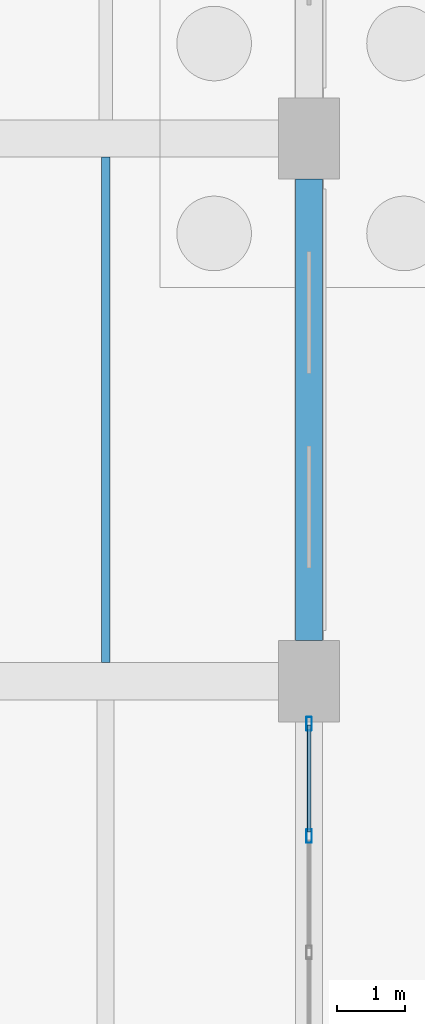
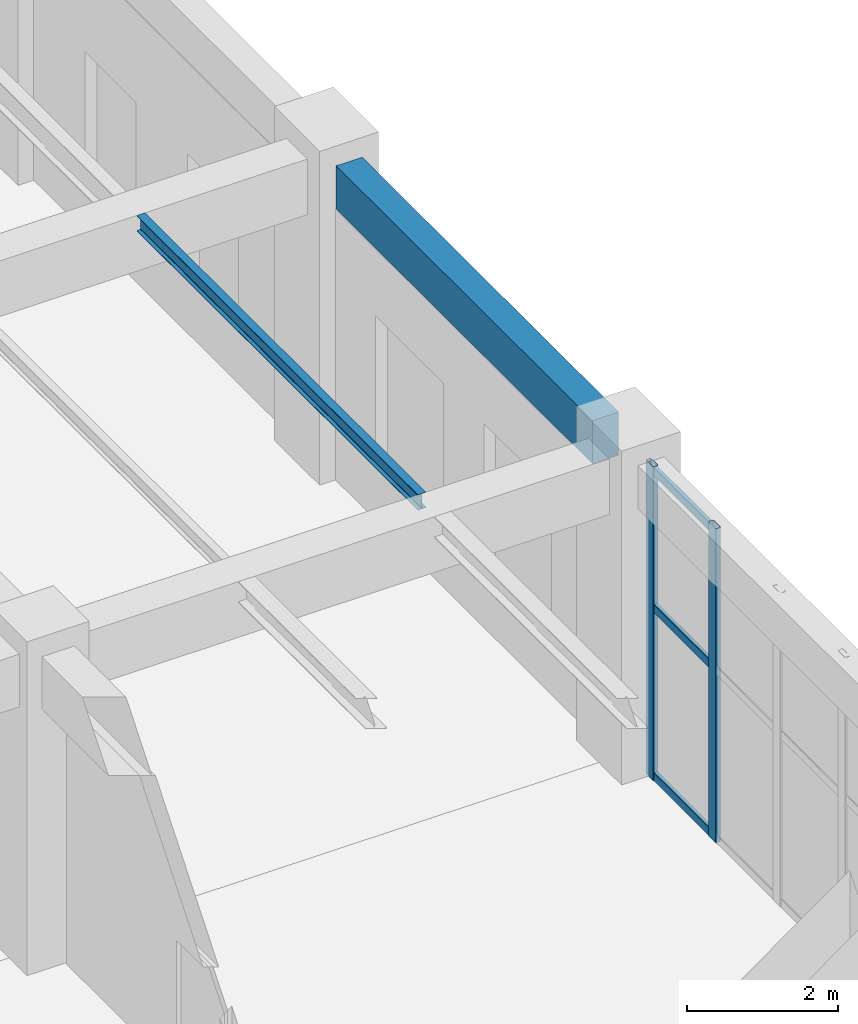
# One storey, part 76 of 121: 5 members, 2 beams, 1 element without a shape of its own.
"""IFC4 building model written with IfcOpenShell, lengths in metres."""

import ifcopenshell
import ifcopenshell.guid

model = None  # the IFC model being written
_history = None  # IfcOwnerHistory: only IFC2X3 demands one
_inside = {}  # id of a spatial element -> (the spatial element, [elements in it])
_under = {}  # id of a project, library or spatial element -> (it, [spatial elements below it])
_declared = {}  # id of a project -> (the project, [libraries it declares])
_typed = {}  # id of a type object -> (the type object, [elements of that type])
_made_of = {}  # id of a material, layer set ... -> (it, [elements and type objects made of it])


def new_model(schema):
    """Start an empty IFC model of exactly this schema.

    Asked for "IFC4X3", IfcOpenShell would pick the latest addendum, in which some entities
    have other attributes; the version numbers below select the first issue.
    IFC2X3 requires an IfcOwnerHistory on every rooted entity: one is made here for all.
    """
    global model, _history
    if schema == "IFC4X3":
        model = ifcopenshell.file(schema_version=(4, 3, 0, 0))
    else:
        model = ifcopenshell.file(schema=schema)
    _inside.clear()
    _under.clear()
    _declared.clear()
    _typed.clear()
    _made_of.clear()
    _history = None
    if model.schema == "IFC2X3":
        org = make("IfcOrganization", Name="unknown")
        user = make(
            "IfcPersonAndOrganization",
            ThePerson=make("IfcPerson", FamilyName="unknown"),
            TheOrganization=org,
        )
        app = make(
            "IfcApplication",
            ApplicationDeveloper=org,
            Version="unknown",
            ApplicationFullName="unknown",
            ApplicationIdentifier="unknown",
        )
        _history = make(
            "IfcOwnerHistory",
            OwningUser=user,
            OwningApplication=app,
            ChangeAction="ADDED",
            CreationDate=0,
        )
    return model


def make(cls, **values):
    """One entity of the class cls with the attributes given. An attribute that is None is left unset."""
    return model.create_entity(
        cls, **{name: value for name, value in values.items() if value is not None}
    )


def rooted(cls, **values):
    """An entity with a GlobalId (a new one), such as an element, a storey or a relation."""
    return make(cls, GlobalId=ifcopenshell.guid.new(), OwnerHistory=_history, **values)


def si_unit(unit_type, name, prefix=None):
    """IfcSIUnit, for example si_unit("LENGTHUNIT", "METRE", prefix="MILLI")."""
    return make("IfcSIUnit", UnitType=unit_type, Prefix=prefix, Name=name)


def derived_unit(unit_type, elements):
    """IfcDerivedUnit: a product of units, each with its exponent."""
    return make(
        "IfcDerivedUnit",
        Elements=[
            make("IfcDerivedUnitElement", Unit=unit, Exponent=power)
            for unit, power in elements
        ],
        UnitType=unit_type,
    )


def assignment(units):
    """IfcUnitAssignment: the units of a project."""
    return None if units is None else make("IfcUnitAssignment", Units=units)


def point(xyz):
    """IfcCartesianPoint."""
    return None if xyz is None else make("IfcCartesianPoint", Coordinates=xyz)


def direction(xyz):
    """IfcDirection."""
    return None if xyz is None else make("IfcDirection", DirectionRatios=xyz)


def frame(location, z_axis=None, x_axis=None):
    """IfcAxis2Placement3D, a coordinate frame: its origin and axes. An axis left out is left unset."""
    return make(
        "IfcAxis2Placement3D",
        Location=point(location),
        Axis=direction(z_axis),
        RefDirection=direction(x_axis),
    )


def frame_2d(location, x_axis=None):
    """IfcAxis2Placement2D, a coordinate frame in the plane: its origin and x axis."""
    return make(
        "IfcAxis2Placement2D", Location=point(location), RefDirection=direction(x_axis)
    )


def origin():
    """The frame at (0, 0, 0) with its axes left unset."""
    return frame((0.0, 0.0, 0.0))


def origin_2d():
    """The frame at (0, 0) in the plane with its x axis left unset."""
    return frame_2d((0.0, 0.0))


def place(relative_to, where):
    """IfcLocalPlacement: puts the frame where relative to a parent placement (None: the world)."""
    return make(
        "IfcLocalPlacement", PlacementRelTo=relative_to, RelativePlacement=where
    )


def context(
    kind, dimensions, precision=None, world=None, true_north=None, identifier=None
):
    """IfcGeometricRepresentationContext, for example the 3D "Model" context."""
    return make(
        "IfcGeometricRepresentationContext",
        ContextIdentifier=identifier,
        ContextType=kind,
        CoordinateSpaceDimension=dimensions,
        Precision=precision,
        WorldCoordinateSystem=world,
        TrueNorth=true_north,
    )


def subcontext(parent, identifier, kind, view, scale=None):
    """IfcGeometricRepresentationSubContext, for example "Body" below "Model"."""
    return make(
        "IfcGeometricRepresentationSubContext",
        ContextIdentifier=identifier,
        ContextType=kind,
        ParentContext=parent,
        TargetScale=scale,
        TargetView=view,
    )


def project(units=None, contexts=None):
    """IfcProject with its units and contexts."""
    return rooted(
        "IfcProject",
        Name="project",
        RepresentationContexts=contexts,
        UnitsInContext=assignment(units),
    )


def spatial(cls, under=None, at=None, **own):
    """A site, building, storey or space (cls), placed at a placement, below another one or the project."""
    s = rooted(cls, ObjectPlacement=at, **own)
    if under is not None:
        _under.setdefault(under.id(), (under, []))[1].append(s)
    return s


def profile(cls, at=None, kind="AREA", **sizes):
    """A parametric profile (cls). Its sizes go by their IFC names, for example OverallWidth=200.0."""
    return make(cls, ProfileType=kind, Position=at, **sizes)


def rectangle(**sizes):
    """IfcRectangleProfileDef."""
    return profile("IfcRectangleProfileDef", **sizes)


def hollow_rectangle(**sizes):
    """IfcRectangleHollowProfileDef."""
    return profile("IfcRectangleHollowProfileDef", **sizes)


def i_section(**sizes):
    """IfcIShapeProfileDef."""
    return profile("IfcIShapeProfileDef", **sizes)


def extrude(swept, where, along, depth):
    """IfcExtrudedAreaSolid: the profile swept, set in the frame where, extruded along a direction by depth."""
    return make(
        "IfcExtrudedAreaSolid",
        SweptArea=swept,
        Position=where,
        ExtrudedDirection=direction(along),
        Depth=depth,
    )


def shape(context_of_items, identifier, shape_type, items):
    """IfcShapeRepresentation: the items that make up one representation, for example the "Body"."""
    return make(
        "IfcShapeRepresentation",
        ContextOfItems=context_of_items,
        RepresentationIdentifier=identifier,
        RepresentationType=shape_type,
        Items=items,
    )


def material(Name=None, Category=None):
    """IfcMaterial."""
    return make("IfcMaterial", Name=Name, Category=Category)


def material_profile(
    of_material, cross_section, Name=None, Category=None, Priority=None
):
    """IfcMaterialProfile: a cross section and its material."""
    return make(
        "IfcMaterialProfile",
        Name=Name,
        Material=of_material,
        Profile=cross_section,
        Priority=Priority,
        Category=Category,
    )


def profile_set(profiles, Name=None, composite=None):
    """IfcMaterialProfileSet."""
    return make(
        "IfcMaterialProfileSet",
        Name=Name,
        MaterialProfiles=profiles,
        CompositeProfile=composite,
    )


def made_of(thing, what):
    """Note that an element or type object is made of a material, layer set ...; save() writes the relation."""
    if what is not None:
        _made_of.setdefault(what.id(), (what, []))[1].append(thing)
    return thing


def type_object(cls, material=None, **own):
    """A type object (cls), such as IfcWallType, which elements share."""
    return made_of(rooted(cls, **own), material)


def element(
    cls,
    number,
    at=None,
    inside=None,
    cuts=None,
    type_object=None,
    material=None,
    context=None,
    identifier="Body",
    shape_type=None,
    held_by="IfcProductDefinitionShape",
    body=None,
    shapes=None,
    **own,
):
    """One element of the class cls, such as IfcWall. Its Tag is "e" and its number.

    at: its placement. inside: the storey or other place that contains it. cuts: it is an
    opening in that element (IfcRelVoidsElement). A single representation is given by context,
    identifier, shape_type and body (its items); several are given by shapes. held_by: the class
    of the entity that holds the representations. save() writes the other relations.
    """
    e = rooted(cls, Tag="e%d" % number, ObjectPlacement=at, **own)
    if body is not None:
        shapes = [shape(context, identifier, shape_type, body)]
    if shapes is not None:
        e.Representation = make(held_by, Representations=shapes)
    if inside is not None:
        _inside.setdefault(inside.id(), (inside, []))[1].append(e)
    if cuts is not None:
        rooted(
            "IfcRelVoidsElement", RelatingBuildingElement=cuts, RelatedOpeningElement=e
        )
    if type_object is not None:
        _typed.setdefault(type_object.id(), (type_object, []))[1].append(e)
    return made_of(e, material)


def aggregate(whole, parts):
    """IfcRelAggregates: a whole, such as a stair, and the parts it consists of."""
    return rooted("IfcRelAggregates", RelatingObject=whole, RelatedObjects=parts)


def save(model, path):
    """Write the relations noted so far, then the file.

    IfcRelAggregates (storeys below a building ...), IfcRelContainedInSpatialStructure (elements
    in a storey), IfcRelDefinesByType, IfcRelAssociatesMaterial and IfcRelDeclares: one each for
    every whole, place, type object, material and project.
    """
    for whole, parts in _under.values():
        aggregate(whole, parts)
    for where, things in _inside.values():
        rooted(
            "IfcRelContainedInSpatialStructure",
            RelatedElements=things,
            RelatingStructure=where,
        )
    for kind, things in _typed.values():
        rooted("IfcRelDefinesByType", RelatedObjects=things, RelatingType=kind)
    for what, things in _made_of.values():
        rooted("IfcRelAssociatesMaterial", RelatedObjects=things, RelatingMaterial=what)
    for by, libraries in _declared.values():
        rooted("IfcRelDeclares", RelatingContext=by, RelatedDefinitions=libraries)
    model.write(path)


model = new_model("IFC4")

# Units and contexts
model_context = context("Model", 3, precision=1e-05, world=origin(), true_north=direction((0.0, 1.0)))
body_context = subcontext(model_context, "Body", "Model", "MODEL_VIEW")
ifc_project = project(units=[si_unit("LENGTHUNIT", "METRE"), si_unit("AREAUNIT", "SQUARE_METRE"), si_unit("VOLUMEUNIT", "CUBIC_METRE"), si_unit("PLANEANGLEUNIT", "RADIAN"), si_unit("MASSUNIT", "GRAM", prefix="KILO"), derived_unit("THERMALTRANSMITTANCEUNIT", [(si_unit("MASSUNIT", "GRAM", prefix="KILO"), 1), (si_unit("TIMEUNIT", "SECOND"), -3), (si_unit("THERMODYNAMICTEMPERATUREUNIT", "KELVIN"), -1)])], contexts=[model_context])

# Site, building, storey
site_placement = place(None, origin())
site = spatial("IfcSite", under=ifc_project, at=site_placement, CompositionType="ELEMENT")
building_placement = place(site_placement, origin())
building = spatial("IfcBuilding", under=site, at=building_placement, Name="Zhenchuan Archway Interchange", CompositionType="ELEMENT")
storey_placement = place(building_placement, origin())
storey = spatial("IfcBuildingStorey", under=building, at=storey_placement, Name="L00", CompositionType="ELEMENT", Elevation=0.0)

# Curtain wall, members
ifc_material_1 = material(Name="Anodised Aluminium", Category="aluminium")
curtain_wall_type = type_object("IfcCurtainWallType", Name="CW_UNIT_3", PredefinedType="NOTDEFINED", material=ifc_material_1)
curtain_wall_placement = place(storey_placement, origin())
curtain_wall = element("IfcCurtainWall", 1, at=curtain_wall_placement, inside=storey, type_object=curtain_wall_type, Name="Unitised curtain wall CW:L00:014", PredefinedType="NOTDEFINED")
ifc_material_profile_1 = material_profile(ifc_material_1, hollow_rectangle(XDim=0.080078125, YDim=0.199951171875, WallThickness=0.00439453125, InnerFilletRadius=0.00439453125, OuterFilletRadius=0.009033203125, at=origin_2d()), Name="ALU 200x80x4.5")
ifc_profile_set_1 = profile_set([ifc_material_profile_1], Name="Anodised Aluminium")
member_type_1 = type_object("IfcMemberType", Name="CW_MUL_200", PredefinedType="MULLION", material=ifc_profile_set_1)
member_1_placement = place(storey_placement, frame((171.0, 71.3720703125, 0.0), z_axis=(0.0, 0.0, 1.0), x_axis=(1.0, 0.0, 0.0)))
member_1 = element("IfcMember", 2, at=member_1_placement, type_object=member_type_1, Name="CW:L00:014 mullion 0", PredefinedType="MULLION", context=body_context, shape_type="SweptSolid", body=[
    extrude(hollow_rectangle(XDim=0.080078125, YDim=0.199951171875, WallThickness=0.00439453125, InnerFilletRadius=0.00439453125, OuterFilletRadius=0.009033203125, at=origin_2d()), origin(), (0.0, 0.0, 1.0), 5.080078125),
])
member_2_placement = place(storey_placement, frame((171.0, 69.716064453125, 0.0), z_axis=(0.0, 0.0, 1.0), x_axis=(1.0, 0.0, 0.0)))
member_2 = element("IfcMember", 3, at=member_2_placement, type_object=member_type_1, Name="CW:L00:014 mullion 1", PredefinedType="MULLION", context=body_context, shape_type="SweptSolid", body=[
    extrude(hollow_rectangle(XDim=0.080078125, YDim=0.199951171875, WallThickness=0.00439453125, InnerFilletRadius=0.00439453125, OuterFilletRadius=0.009033203125, at=origin_2d()), origin(), (0.0, 0.0, 1.0), 5.080078125),
])
ifc_material_profile_2 = material_profile(ifc_material_1, hollow_rectangle(XDim=0.06005859375, YDim=0.139892578125, WallThickness=0.00341796875, InnerFilletRadius=0.00341796875, OuterFilletRadius=0.007080078125, at=origin_2d()), Name="ALU 140x60x3.5")
ifc_profile_set_2 = profile_set([ifc_material_profile_2], Name="Anodised Aluminium")
member_type_2 = type_object("IfcMemberType", Name="CW_TRN_140", PredefinedType="USERDEFINED", material=ifc_profile_set_2)
member_3_placement = place(storey_placement, frame((171.0, 71.35205078125, 0.06005859375), z_axis=(0.0, -1.0, 0.0), x_axis=(1.0, 0.0, 0.0)))
member_3 = element("IfcMember", 4, at=member_3_placement, type_object=member_type_2, Name="CW:L00:014 transom 0-1", ObjectType="TRANSOM", PredefinedType="USERDEFINED", context=body_context, shape_type="SweptSolid", body=[
    extrude(hollow_rectangle(XDim=0.06005859375, YDim=0.139892578125, WallThickness=0.00341796875, InnerFilletRadius=0.00341796875, OuterFilletRadius=0.007080078125, at=origin_2d()), origin(), (0.0, 0.0, 1.0), 1.576171875),
])
member_4_placement = place(storey_placement, frame((171.0, 71.35205078125, 2.782958984375), z_axis=(0.0, -1.0, 0.0), x_axis=(1.0, 0.0, 0.0)))
member_4 = element("IfcMember", 5, at=member_4_placement, type_object=member_type_2, Name="CW:L00:014 transom 0-2", ObjectType="TRANSOM", PredefinedType="USERDEFINED", context=body_context, shape_type="SweptSolid", body=[
    extrude(hollow_rectangle(XDim=0.06005859375, YDim=0.139892578125, WallThickness=0.00341796875, InnerFilletRadius=0.00341796875, OuterFilletRadius=0.007080078125, at=origin_2d()), origin(), (0.0, 0.0, 1.0), 1.576171875),
])
member_5_placement = place(storey_placement, frame((171.0, 71.35205078125, 5.0), z_axis=(0.0, -1.0, 0.0), x_axis=(1.0, 0.0, 0.0)))
member_5 = element("IfcMember", 6, at=member_5_placement, type_object=member_type_2, Name="CW:L00:014 transom 0-3", ObjectType="TRANSOM", PredefinedType="USERDEFINED", context=body_context, shape_type="SweptSolid", body=[
    extrude(hollow_rectangle(XDim=0.06005859375, YDim=0.139892578125, WallThickness=0.00341796875, InnerFilletRadius=0.00341796875, OuterFilletRadius=0.007080078125, at=origin_2d()), origin(), (0.0, 0.0, 1.0), 1.576171875),
])
aggregate(curtain_wall, [member_1, member_2, member_3, member_4, member_5])

# Beams
ifc_material_2 = material(Name="Steel Q355", Category="steel")
ifc_material_profile_3 = material_profile(ifc_material_2, i_section(OverallWidth=0.125, OverallDepth=0.25, WebThickness=0.006103515625, FlangeThickness=0.009033203125, FilletRadius=0.011962890625, at=origin_2d()), Name="HN 250x125")
ifc_profile_set_3 = profile_set([ifc_material_profile_3], Name="Steel Q355")
beam_type_1 = type_object("IfcBeamType", Name="JST_STL_HN250", PredefinedType="JOIST", material=ifc_profile_set_3)
beam_1_placement = place(storey_placement, frame((168.0, 72.27490234375, 4.955078125), z_axis=(0.0, 1.0, 0.0), x_axis=(-1.0, 0.0, 0.0)))
element("IfcBeam", 7, at=beam_1_placement, inside=storey, type_object=beam_type_1, Name="Secondary joist 19-20/K-L #2 (L00)", PredefinedType="JOIST", context=body_context, shape_type="SweptSolid", body=[
    extrude(i_section(OverallWidth=0.125, OverallDepth=0.25, WebThickness=0.006103515625, FlangeThickness=0.009033203125, FilletRadius=0.011962890625, at=origin_2d()), origin(), (0.0, 0.0, 1.0), 7.4501953125),
])
ifc_material_3 = material(Name="Concrete C40", Category="concrete")
ifc_material_profile_4 = material_profile(ifc_material_3, rectangle(XDim=0.39990234375, YDim=0.699951171875, at=origin_2d()), Name="RC 400x700")
ifc_profile_set_4 = profile_set([ifc_material_profile_4], Name="Concrete C40")
beam_type_2 = type_object("IfcBeamType", Name="SP_RC_400x700", PredefinedType="SPANDREL", material=ifc_profile_set_4)
beam_2_placement = place(storey_placement, frame((171.0, 72.60009765625, 4.72998046875), z_axis=(0.0, 1.0, 0.0), x_axis=(-1.0, 0.0, 0.0)))
element("IfcBeam", 8, at=beam_2_placement, inside=storey, type_object=beam_type_2, Name="Beam 20:K-L (L00)", PredefinedType="SPANDREL", context=body_context, shape_type="SweptSolid", body=[
    extrude(rectangle(XDim=0.39990234375, YDim=0.699951171875, at=origin_2d()), origin(), (0.0, 0.0, 1.0), 6.7998046875),
])

save(model, "model.ifc")
